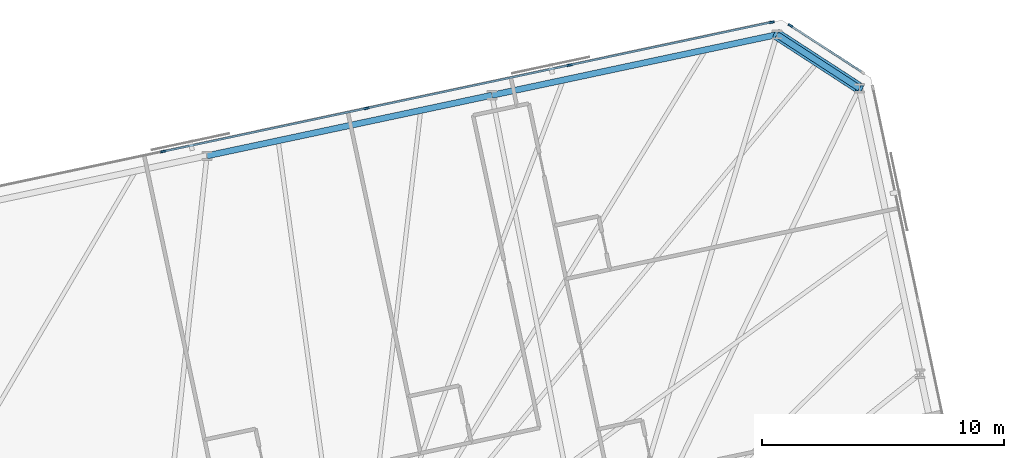
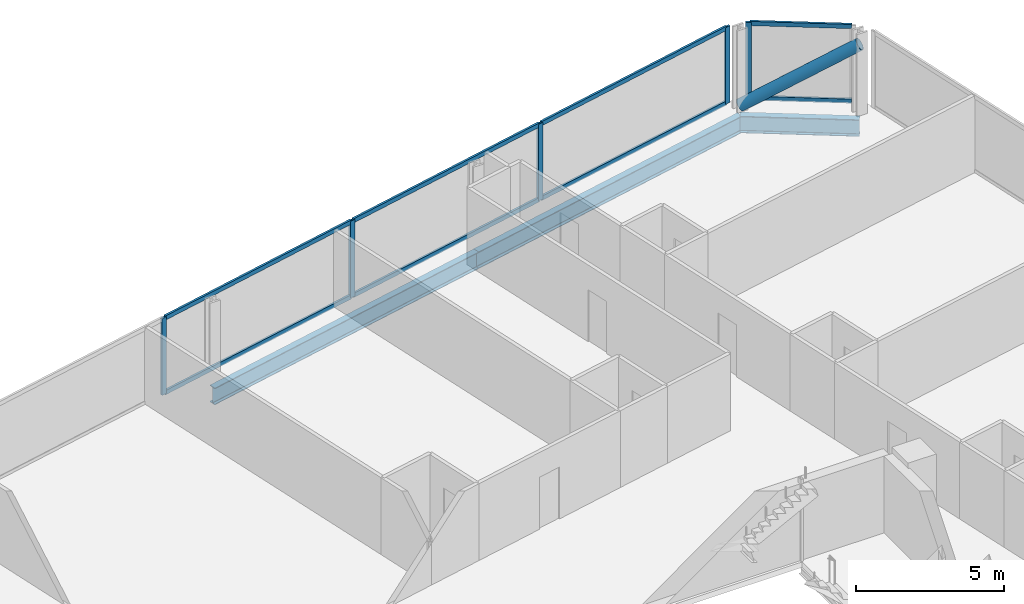
# One storey, part 11 of 19: 14 members, 3 beams, 2 elements without a shape of their own.
"""IFC4 building model written with IfcOpenShell, lengths in metres."""

from ifc_helpers import new_model, si_unit, direction, frame, origin, origin_2d, place, context, subcontext, project, spatial, rectangle, hollow_circle, i_section, extrude, material, material_profile, profile_set, type_object, element, aggregate, save


model = new_model("IFC4")

# Units and contexts
model_context = context("Model", 3, precision=1e-05, world=origin(), true_north=direction((0.0, 1.0)))
body_context = subcontext(model_context, "Body", "Model", "MODEL_VIEW")
ifc_project = project(units=[si_unit("LENGTHUNIT", "METRE"), si_unit("AREAUNIT", "SQUARE_METRE"), si_unit("VOLUMEUNIT", "CUBIC_METRE"), si_unit("PLANEANGLEUNIT", "RADIAN"), si_unit("MASSUNIT", "GRAM", prefix="KILO")], contexts=[model_context])

# Site, building, storey
site_placement = place(None, origin())
site = spatial("IfcSite", under=ifc_project, at=site_placement, CompositionType="ELEMENT")
building_placement = place(site_placement, origin())
building = spatial("IfcBuilding", under=site, at=building_placement, Name="Menara Jurai Vektor", CompositionType="ELEMENT")
storey_placement = place(building_placement, frame((0.0, 0.0, 154.800048828125)))
storey = spatial("IfcBuildingStorey", under=building, at=storey_placement, Name="L39", CompositionType="ELEMENT", Elevation=154.800048828125)

# Curtain wall, member
ifc_material_1 = material(Name="Anodised Pale Aluminium & Low-E Double Glazing", Category="aluminium")
curtain_wall_type = type_object("IfcCurtainWallType", Name="CW-BLK3", PredefinedType="NOTDEFINED", material=ifc_material_1)
curtain_wall_1_placement = place(storey_placement, origin())
curtain_wall_1 = element("IfcCurtainWall", 1, at=curtain_wall_1_placement, inside=storey, type_object=curtain_wall_type, Name="Unitised Curtain Wall L39 F04", PredefinedType="NOTDEFINED")
ifc_material_2 = material(Name="Anodised Pale Aluminium Mullion", Category="aluminium")
ifc_material_profile_1 = material_profile(ifc_material_2, rectangle(XDim=0.0849609375, YDim=0.205078125, at=origin_2d()), Name="ALU MUL 85x205")
ifc_profile_set_1 = profile_set([ifc_material_profile_1], Name="Anodised Pale Aluminium Mullion")
member_type_1 = type_object("IfcMemberType", Name="CW-BLK3-MUL", PredefinedType="MULLION", material=ifc_profile_set_1)
member_1_placement = place(storey_placement, frame((23.219970703125, 29.920654296875, 0.0), z_axis=(0.0, 0.0, 1.0), x_axis=(-0.544617794346, -0.838684361415, 0.0)))
member_1 = element("IfcMember", 2, at=member_1_placement, type_object=member_type_1, Name="CW-03 mullion 2", PredefinedType="MULLION", context=body_context, shape_type="SweptSolid", body=[
    extrude(rectangle(XDim=0.0849609375, YDim=0.205078125, at=origin_2d()), origin(), (0.0, 0.0, 1.0), 3.175048828125),
])

# Curtain wall, members
curtain_wall_2_placement = place(storey_placement, origin())
curtain_wall_2 = element("IfcCurtainWall", 3, at=curtain_wall_2_placement, inside=storey, type_object=curtain_wall_type, Name="Unitised Curtain Wall L39 F05", PredefinedType="NOTDEFINED")
member_2_placement = place(storey_placement, frame((22.452392578125, 30.062744140625, 0.0), z_axis=(0.0, 0.0, 1.0), x_axis=(0.207911344156, -0.978147674419, 0.0)))
member_2 = element("IfcMember", 4, at=member_2_placement, type_object=member_type_1, Name="CW-03 mullion 1", PredefinedType="MULLION", context=body_context, shape_type="SweptSolid", body=[
    extrude(rectangle(XDim=0.0849609375, YDim=0.205078125, at=origin_2d()), origin(), (0.0, 0.0, 1.0), 3.175048828125),
])
member_3_placement = place(storey_placement, frame((14.104248046875, 28.288330078125, 0.0), z_axis=(0.0, 0.0, 1.0), x_axis=(0.207911344156, -0.978147674419, 0.0)))
member_3 = element("IfcMember", 5, at=member_3_placement, type_object=member_type_1, Name="CW-03 mullion 2", PredefinedType="MULLION", context=body_context, shape_type="SweptSolid", body=[
    extrude(rectangle(XDim=0.0849609375, YDim=0.205078125, at=origin_2d()), origin(), (0.0, 0.0, 1.0), 3.175048828125),
])
member_4_placement = place(storey_placement, frame((5.71435546875, 26.505126953125, 0.0), z_axis=(0.0, 0.0, 1.0), x_axis=(0.207911344156, -0.978147674419, 0.0)))
member_4 = element("IfcMember", 6, at=member_4_placement, type_object=member_type_1, Name="CW-03 mullion 3", PredefinedType="MULLION", context=body_context, shape_type="SweptSolid", body=[
    extrude(rectangle(XDim=0.0849609375, YDim=0.205078125, at=origin_2d()), origin(), (0.0, 0.0, 1.0), 3.175048828125),
])
member_5_placement = place(storey_placement, frame((-2.67529296875, 24.721923828125, 0.0), z_axis=(0.0, 0.0, 1.0), x_axis=(0.207911344156, -0.978147674419, 0.0)))
member_5 = element("IfcMember", 7, at=member_5_placement, type_object=member_type_1, Name="CW-03 mullion 4", PredefinedType="MULLION", context=body_context, shape_type="SweptSolid", body=[
    extrude(rectangle(XDim=0.0849609375, YDim=0.205078125, at=origin_2d()), origin(), (0.0, 0.0, 1.0), 3.175048828125),
])

# Member
ifc_material_3 = material(Name="Anodised Pale Aluminium Transom", Category="aluminium")
ifc_material_profile_2 = material_profile(ifc_material_3, rectangle(XDim=0.0849609375, YDim=0.175048828125, at=origin_2d()), Name="ALU TRN 85x175")
ifc_profile_set_2 = profile_set([ifc_material_profile_2], Name="Anodised Pale Aluminium Transom")
member_type_2 = type_object("IfcMemberType", Name="CW-BLK3-TRN", PredefinedType="USERDEFINED", material=ifc_profile_set_2)
member_6_placement = place(storey_placement, frame((26.15234375, 28.016357421875, 0.04248046875), z_axis=(-0.83867770631, 0.54462804274, 0.0), x_axis=(-0.54462804274, -0.83867770631, 0.0)))
member_6 = element("IfcMember", 8, at=member_6_placement, type_object=member_type_2, Name="CW-03 transom 1.1", ObjectType="TRANSOM", PredefinedType="USERDEFINED", context=body_context, shape_type="SweptSolid", body=[
    extrude(rectangle(XDim=0.0849609375, YDim=0.175048828125, at=origin_2d()), origin(), (0.0, 0.0, 1.0), 3.453857421875),
])

member_7_placement = place(storey_placement, frame((26.15234375, 28.016357421875, 3.132568359375), z_axis=(-0.83867770631, 0.54462804274, 0.0), x_axis=(-0.54462804274, -0.83867770631, 0.0)))
member_7 = element("IfcMember", 9, at=member_7_placement, type_object=member_type_2, Name="CW-03 transom 1.2", ObjectType="TRANSOM", PredefinedType="USERDEFINED", context=body_context, shape_type="SweptSolid", body=[
    extrude(rectangle(XDim=0.0849609375, YDim=0.175048828125, at=origin_2d()), origin(), (0.0, 0.0, 1.0), 3.453857421875),
])

aggregate(curtain_wall_1, [member_1, member_6, member_7])

member_8_placement = place(storey_placement, frame((22.41064453125, 30.053955078125, 0.04248046875), z_axis=(-0.978151580361, -0.207892967261, 0.0), x_axis=(0.207892967261, -0.978151580361, 0.0)))
member_8 = element("IfcMember", 10, at=member_8_placement, type_object=member_type_2, Name="CW-03 transom 1.1", ObjectType="TRANSOM", PredefinedType="USERDEFINED", context=body_context, shape_type="SweptSolid", body=[
    extrude(rectangle(XDim=0.0849609375, YDim=0.175048828125, at=origin_2d()), origin(), (0.0, 0.0, 1.0), 8.449462890625),
])

member_9_placement = place(storey_placement, frame((22.41064453125, 30.053955078125, 3.132568359375), z_axis=(-0.978151580361, -0.207892967261, 0.0), x_axis=(0.207892967261, -0.978151580361, 0.0)))
member_9 = element("IfcMember", 11, at=member_9_placement, type_object=member_type_2, Name="CW-03 transom 1.2", ObjectType="TRANSOM", PredefinedType="USERDEFINED", context=body_context, shape_type="SweptSolid", body=[
    extrude(rectangle(XDim=0.0849609375, YDim=0.175048828125, at=origin_2d()), origin(), (0.0, 0.0, 1.0), 8.449462890625),
])

member_10_placement = place(storey_placement, frame((14.0625, 28.279541015625, 0.04248046875), z_axis=(-0.978146500933, -0.207916864907, 0.0), x_axis=(0.207916864907, -0.978146500933, 0.0)))
member_10 = element("IfcMember", 12, at=member_10_placement, type_object=member_type_2, Name="CW-03 transom 2.1", ObjectType="TRANSOM", PredefinedType="USERDEFINED", context=body_context, shape_type="SweptSolid", body=[
    extrude(rectangle(XDim=0.0849609375, YDim=0.175048828125, at=origin_2d()), origin(), (0.0, 0.0, 1.0), 8.491943359375),
])

member_11_placement = place(storey_placement, frame((14.0625, 28.279541015625, 3.132568359375), z_axis=(-0.978146500933, -0.207916864907, 0.0), x_axis=(0.207916864907, -0.978146500933, 0.0)))
member_11 = element("IfcMember", 13, at=member_11_placement, type_object=member_type_2, Name="CW-03 transom 2.2", ObjectType="TRANSOM", PredefinedType="USERDEFINED", context=body_context, shape_type="SweptSolid", body=[
    extrude(rectangle(XDim=0.0849609375, YDim=0.175048828125, at=origin_2d()), origin(), (0.0, 0.0, 1.0), 8.491943359375),
])

member_12_placement = place(storey_placement, frame((5.6728515625, 26.496337890625, 0.04248046875), z_axis=(-0.978147743708, -0.207911018178, 0.0), x_axis=(0.207911018178, -0.978147743708, 0.0)))
member_12 = element("IfcMember", 14, at=member_12_placement, type_object=member_type_2, Name="CW-03 transom 3.1", ObjectType="TRANSOM", PredefinedType="USERDEFINED", context=body_context, shape_type="SweptSolid", body=[
    extrude(rectangle(XDim=0.0849609375, YDim=0.175048828125, at=origin_2d()), origin(), (0.0, 0.0, 1.0), 8.4921875),
])

member_13_placement = place(storey_placement, frame((5.6728515625, 26.496337890625, 3.132568359375), z_axis=(-0.978147743708, -0.207911018178, 0.0), x_axis=(0.207911018178, -0.978147743708, 0.0)))
member_13 = element("IfcMember", 15, at=member_13_placement, type_object=member_type_2, Name="CW-03 transom 3.2", ObjectType="TRANSOM", PredefinedType="USERDEFINED", context=body_context, shape_type="SweptSolid", body=[
    extrude(rectangle(XDim=0.0849609375, YDim=0.175048828125, at=origin_2d()), origin(), (0.0, 0.0, 1.0), 8.4921875),
])

aggregate(curtain_wall_2, [member_2, member_3, member_4, member_5, member_8, member_9, member_10, member_11, member_12, member_13])

ifc_material_4 = material(Name="Steel S460", Category="steel")
ifc_material_profile_3 = material_profile(ifc_material_4, hollow_circle(Radius=0.228515625, WallThickness=0.01611328125, at=origin_2d()), Name="CHS 457x16")
ifc_profile_set_3 = profile_set([ifc_material_profile_3], Name="Steel S460")
member_type_3 = type_object("IfcMemberType", Name="STR-BR-457", PredefinedType="BRACE", material=ifc_profile_set_3)
member_14_placement = place(storey_placement, frame((22.664794921875, 29.545654296875, 0.14990234375), z_axis=(0.700418818423, -0.454848055166, 0.550024295382), x_axis=(0.544631249681, 0.838675623749, 0.0)))
element("IfcMember", 16, at=member_14_placement, inside=storey, type_object=member_type_3, Name="Exoskeleton Corner Brace L39-2", PredefinedType="BRACE", context=body_context, shape_type="SweptSolid", body=[
    extrude(hollow_circle(Radius=0.228515625, WallThickness=0.01611328125, at=origin_2d()), origin(), (0.0, 0.0, 1.0), 4.863525390625),
])

# Beams
ifc_material_profile_4 = material_profile(ifc_material_4, i_section(OverallWidth=0.256103515625, OverallDepth=0.693115234375, WebThickness=0.013916015625, FlangeThickness=0.02392578125, FilletRadius=0.014892578125, at=origin_2d()), Name="UKB 686x254x170")
ifc_profile_set_4 = profile_set([ifc_material_profile_4], Name="Steel S460")
beam_type = type_object("IfcBeamType", Name="STR-SP-686", PredefinedType="SPANDREL", material=ifc_profile_set_4)
beam_1_placement = place(storey_placement, frame((26.0712890625, 27.33349609375, -0.571533203125), z_axis=(-0.838675623749, 0.544631249681, 0.0), x_axis=(-0.544631249681, -0.838675623749, 0.0)))
element("IfcBeam", 17, at=beam_1_placement, inside=storey, type_object=beam_type, Name="Exoskeleton Spandrel Beam L39-10", PredefinedType="SPANDREL", context=body_context, shape_type="SweptSolid", body=[
    extrude(i_section(OverallWidth=0.256103515625, OverallDepth=0.693115234375, WebThickness=0.013916015625, FlangeThickness=0.02392578125, FilletRadius=0.014892578125, at=origin_2d()), origin(), (0.0, 0.0, 1.0), 4.061767578125),
])
beam_2_placement = place(storey_placement, frame((22.664794921875, 29.545654296875, -0.571533203125), z_axis=(-0.978147039247, -0.207914332389, 0.0), x_axis=(0.207914332389, -0.978147039247, 0.0)))
element("IfcBeam", 18, at=beam_2_placement, inside=storey, type_object=beam_type, Name="Exoskeleton Spandrel Beam L39-11", PredefinedType="SPANDREL", context=body_context, shape_type="SweptSolid", body=[
    extrude(i_section(OverallWidth=0.256103515625, OverallDepth=0.693115234375, WebThickness=0.013916015625, FlangeThickness=0.02392578125, FilletRadius=0.014892578125, at=origin_2d()), origin(), (0.0, 0.0, 1.0), 12.03125),
])
beam_3_placement = place(storey_placement, frame((10.896484375, 27.044189453125, -0.571533203125), z_axis=(-0.978150288855, -0.207899043801, 0.0), x_axis=(0.207899043801, -0.978150288855, 0.0)))
element("IfcBeam", 19, at=beam_3_placement, inside=storey, type_object=beam_type, Name="Exoskeleton Spandrel Beam L39-12", PredefinedType="SPANDREL", context=body_context, shape_type="SweptSolid", body=[
    extrude(i_section(OverallWidth=0.256103515625, OverallDepth=0.693115234375, WebThickness=0.013916015625, FlangeThickness=0.02392578125, FilletRadius=0.014892578125, at=origin_2d()), origin(), (0.0, 0.0, 1.0), 12.031005859375),
])

save(model, "model.ifc")
